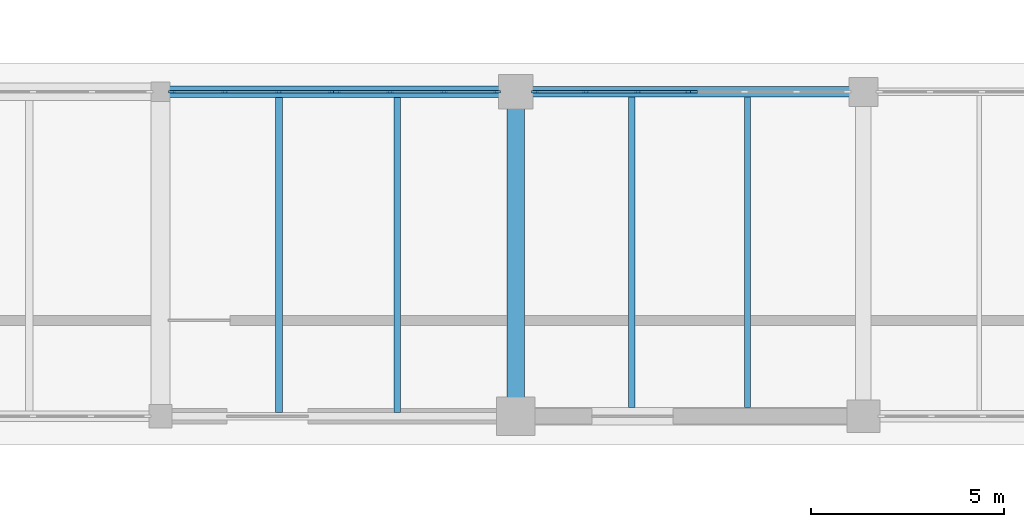
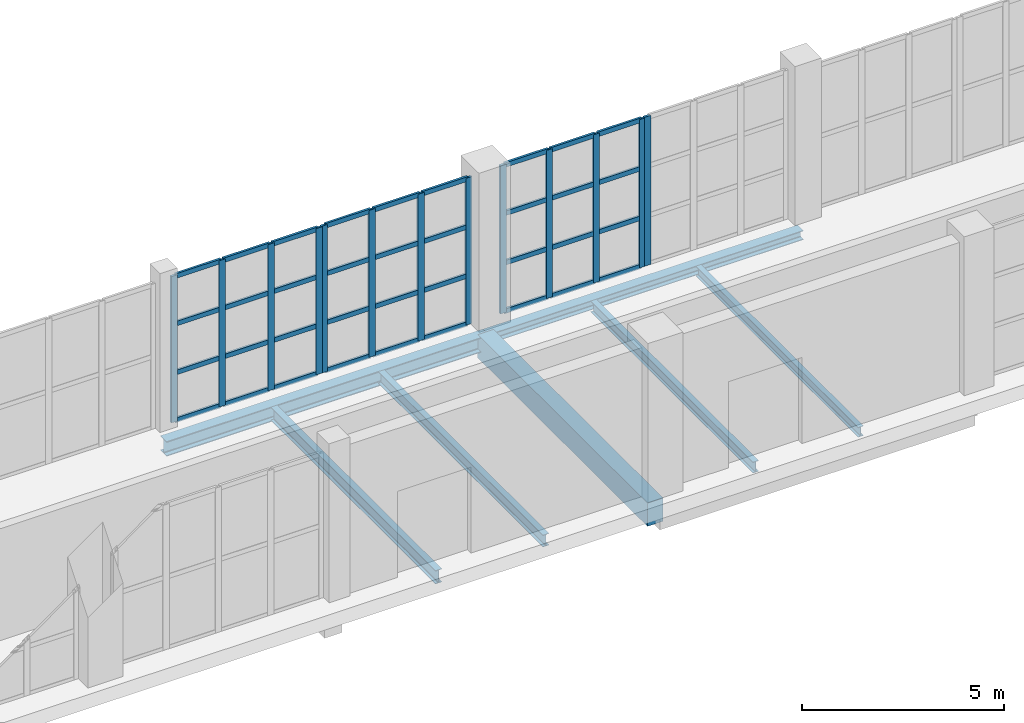
# One storey, part 56 of 121: 49 members, 7 beams, 4 elements without a shape of their own.
"""IFC4 building model written with IfcOpenShell, lengths in metres."""

from ifc_helpers import new_model, si_unit, direction, frame, origin, origin_2d, place, context, subcontext, project, spatial, rectangle, i_section, extrude, material, layer, layer_set, material_profile, profile_set, type_object, element, aggregate, save


model = new_model("IFC4")

# Units and contexts
model_context = context("Model", 3, precision=1e-05, world=origin(), true_north=direction((0.0, 1.0)))
body_context = subcontext(model_context, "Body", "Model", "MODEL_VIEW")
ifc_project = project(units=[si_unit("LENGTHUNIT", "METRE"), si_unit("AREAUNIT", "SQUARE_METRE"), si_unit("VOLUMEUNIT", "CUBIC_METRE"), si_unit("PLANEANGLEUNIT", "RADIAN"), si_unit("MASSUNIT", "GRAM", prefix="KILO")], contexts=[model_context])

# Site, building, storey
site_placement = place(None, origin())
site = spatial("IfcSite", under=ifc_project, at=site_placement, CompositionType="ELEMENT")
building_placement = place(site_placement, origin())
building = spatial("IfcBuilding", under=site, at=building_placement, Name="Zereglee Splitstone Museum", CompositionType="ELEMENT")
storey_placement = place(building_placement, origin())
storey = spatial("IfcBuildingStorey", under=building, at=storey_placement, Name="L00", CompositionType="ELEMENT", Elevation=0.0)

# Beam
ifc_material_1 = material(Name="Concrete C40/50", Category="concrete")
ifc_material_profile_1 = material_profile(ifc_material_1, rectangle(XDim=0.449951171875, YDim=0.699951171875, at=origin_2d()), Name="RC 450x700")
ifc_profile_set_1 = profile_set([ifc_material_profile_1], Name="Concrete C40/50")
beam_type_1 = type_object("IfcBeamType", Name="BG-03", PredefinedType="BEAM", material=ifc_profile_set_1)
beam_1_placement = place(storey_placement, frame((238.0, 30.0, -0.77001953125), z_axis=(0.0, 1.0, 0.0), x_axis=(-1.0, 0.0, 0.0)))
element("IfcBeam", 1, at=beam_1_placement, inside=storey, type_object=beam_type_1, Name="Primary Girder L00 27 (30.0-38.4)", PredefinedType="BEAM", context=body_context, shape_type="SweptSolid", body=[
    extrude(rectangle(XDim=0.449951171875, YDim=0.699951171875, at=origin_2d()), origin(), (0.0, 0.0, 1.0), 8.39990234375),
])

# Curtain wall, member
ifc_material_2 = material(Name="Triple-glazed low-E argon glass and bronze-anodised aluminium", Category="aluminium")
ifc_layer_1 = layer(ifc_material_2, 0.179931640625)
ifc_layer_set_1 = layer_set([ifc_layer_1], Name="Triple-glazed low-E argon glass and bronze-anodised aluminium")
curtain_wall_type_1 = type_object("IfcCurtainWallType", Name="CW-0404-450", PredefinedType="USERDEFINED", material=ifc_layer_set_1)
curtain_wall_1_placement = place(storey_placement, origin())
curtain_wall_1 = element("IfcCurtainWall", 2, at=curtain_wall_1_placement, inside=storey, type_object=curtain_wall_type_1, Name="Glazed Curtain Wall CW-0404-450 (L00)", ObjectType="GLAZED CURTAIN WALL", PredefinedType="USERDEFINED")
ifc_material_3 = material(Name="Thermally broken bronze-anodised aluminium", Category="aluminium")
ifc_material_profile_2 = material_profile(ifc_material_3, rectangle(XDim=0.06494140625, YDim=0.179931640625, at=origin_2d()), Name="CW MULL 65x180")
ifc_profile_set_2 = profile_set([ifc_material_profile_2], Name="Thermally broken bronze-anodised aluminium")
member_type_1 = type_object("IfcMemberType", Name="CWM-01", PredefinedType="MULLION", material=ifc_profile_set_2)
member_1_placement = place(storey_placement, frame((242.610107421875, 38.39990234375, 0.0), z_axis=(0.0, 0.0, 1.0), x_axis=(0.0, -1.0, 0.0)))
member_1 = element("IfcMember", 3, at=member_1_placement, type_object=member_type_1, Name="CW-0404-450 mullion 4", PredefinedType="MULLION", context=body_context, shape_type="SweptSolid", body=[
    extrude(rectangle(XDim=0.06494140625, YDim=0.179931640625, at=origin_2d()), origin(), (0.0, 0.0, 1.0), 4.5),
])
aggregate(curtain_wall_1, [member_1])

# Curtain wall, members
ifc_layer_2 = layer(ifc_material_2, 0.179931640625)
ifc_layer_set_2 = layer_set([ifc_layer_2], Name="Triple-glazed low-E argon glass and bronze-anodised aluminium")
curtain_wall_type_2 = type_object("IfcCurtainWallType", Name="CW-0404-448", PredefinedType="USERDEFINED", material=ifc_layer_set_2)
curtain_wall_2_placement = place(storey_placement, origin())
curtain_wall_2 = element("IfcCurtainWall", 4, at=curtain_wall_2_placement, inside=storey, type_object=curtain_wall_type_2, Name="Glazed Curtain Wall CW-0404-448 (L00)", ObjectType="GLAZED CURTAIN WALL", PredefinedType="USERDEFINED")
member_2_placement = place(storey_placement, frame((242.465087890625, 38.39990234375, 0.0), z_axis=(0.0, 0.0, 1.0), x_axis=(0.0, -1.0, 0.0)))
member_2 = element("IfcMember", 5, at=member_2_placement, type_object=member_type_1, Name="CW-0404-448 mullion 1", PredefinedType="MULLION", context=body_context, shape_type="SweptSolid", body=[
    extrude(rectangle(XDim=0.06494140625, YDim=0.179931640625, at=origin_2d()), origin(), (0.0, 0.0, 1.0), 4.47998046875),
])
member_3_placement = place(storey_placement, frame((241.15087890625, 38.39990234375, 0.0), z_axis=(0.0, 0.0, 1.0), x_axis=(0.0, -1.0, 0.0)))
member_3 = element("IfcMember", 6, at=member_3_placement, type_object=member_type_1, Name="CW-0404-448 mullion 2", PredefinedType="MULLION", context=body_context, shape_type="SweptSolid", body=[
    extrude(rectangle(XDim=0.06494140625, YDim=0.179931640625, at=origin_2d()), origin(), (0.0, 0.0, 1.0), 4.47998046875),
])
member_4_placement = place(storey_placement, frame((239.804443359375, 38.39990234375, 0.0), z_axis=(0.0, 0.0, 1.0), x_axis=(0.0, -1.0, 0.0)))
member_4 = element("IfcMember", 7, at=member_4_placement, type_object=member_type_1, Name="CW-0404-448 mullion 3", PredefinedType="MULLION", context=body_context, shape_type="SweptSolid", body=[
    extrude(rectangle(XDim=0.06494140625, YDim=0.179931640625, at=origin_2d()), origin(), (0.0, 0.0, 1.0), 4.47998046875),
])
member_5_placement = place(storey_placement, frame((238.490478515625, 38.39990234375, 0.0), z_axis=(0.0, 0.0, 1.0), x_axis=(0.0, -1.0, 0.0)))
member_5 = element("IfcMember", 8, at=member_5_placement, type_object=member_type_1, Name="CW-0404-448 mullion 4", PredefinedType="MULLION", context=body_context, shape_type="SweptSolid", body=[
    extrude(rectangle(XDim=0.06494140625, YDim=0.179931640625, at=origin_2d()), origin(), (0.0, 0.0, 1.0), 4.47998046875),
])

ifc_layer_3 = layer(ifc_material_2, 0.179931640625)
ifc_layer_set_3 = layer_set([ifc_layer_3], Name="Triple-glazed low-E argon glass and bronze-anodised aluminium")
curtain_wall_type_3 = type_object("IfcCurtainWallType", Name="CW-0420-444", PredefinedType="USERDEFINED", material=ifc_layer_set_3)
curtain_wall_3_placement = place(storey_placement, origin())
curtain_wall_3 = element("IfcCurtainWall", 9, at=curtain_wall_3_placement, inside=storey, type_object=curtain_wall_type_3, Name="Glazed Curtain Wall CW-0420-444 (L00)", ObjectType="GLAZED CURTAIN WALL", PredefinedType="USERDEFINED")
member_6_placement = place(storey_placement, frame((237.509521484375, 38.39990234375, 0.0), z_axis=(0.0, 0.0, 1.0), x_axis=(0.0, -1.0, 0.0)))
member_6 = element("IfcMember", 10, at=member_6_placement, type_object=member_type_1, Name="CW-0420-444 mullion 1", PredefinedType="MULLION", context=body_context, shape_type="SweptSolid", body=[
    extrude(rectangle(XDim=0.06494140625, YDim=0.179931640625, at=origin_2d()), origin(), (0.0, 0.0, 1.0), 4.43994140625),
])
member_7_placement = place(storey_placement, frame((236.141357421875, 38.39990234375, 0.0), z_axis=(0.0, 0.0, 1.0), x_axis=(0.0, -1.0, 0.0)))
member_7 = element("IfcMember", 11, at=member_7_placement, type_object=member_type_1, Name="CW-0420-444 mullion 2", PredefinedType="MULLION", context=body_context, shape_type="SweptSolid", body=[
    extrude(rectangle(XDim=0.06494140625, YDim=0.179931640625, at=origin_2d()), origin(), (0.0, 0.0, 1.0), 4.43994140625),
])
member_8_placement = place(storey_placement, frame((234.74072265625, 38.39990234375, 0.0), z_axis=(0.0, 0.0, 1.0), x_axis=(0.0, -1.0, 0.0)))
member_8 = element("IfcMember", 12, at=member_8_placement, type_object=member_type_1, Name="CW-0420-444 mullion 3", PredefinedType="MULLION", context=body_context, shape_type="SweptSolid", body=[
    extrude(rectangle(XDim=0.06494140625, YDim=0.179931640625, at=origin_2d()), origin(), (0.0, 0.0, 1.0), 4.43994140625),
])
member_9_placement = place(storey_placement, frame((233.37255859375, 38.39990234375, 0.0), z_axis=(0.0, 0.0, 1.0), x_axis=(0.0, -1.0, 0.0)))
member_9 = element("IfcMember", 13, at=member_9_placement, type_object=member_type_1, Name="CW-0420-444 mullion 4", PredefinedType="MULLION", context=body_context, shape_type="SweptSolid", body=[
    extrude(rectangle(XDim=0.06494140625, YDim=0.179931640625, at=origin_2d()), origin(), (0.0, 0.0, 1.0), 4.43994140625),
])

ifc_layer_4 = layer(ifc_material_2, 0.179931640625)
ifc_layer_set_4 = layer_set([ifc_layer_4], Name="Triple-glazed low-E argon glass and bronze-anodised aluminium")
curtain_wall_type_4 = type_object("IfcCurtainWallType", Name="CW-0420-442", PredefinedType="USERDEFINED", material=ifc_layer_set_4)
curtain_wall_4_placement = place(storey_placement, origin())
curtain_wall_4 = element("IfcCurtainWall", 14, at=curtain_wall_4_placement, inside=storey, type_object=curtain_wall_type_4, Name="Glazed Curtain Wall CW-0420-442 (L00)", ObjectType="GLAZED CURTAIN WALL", PredefinedType="USERDEFINED")
member_10_placement = place(storey_placement, frame((233.2275390625, 38.39990234375, 0.0), z_axis=(0.0, 0.0, 1.0), x_axis=(0.0, -1.0, 0.0)))
member_10 = element("IfcMember", 15, at=member_10_placement, type_object=member_type_1, Name="CW-0420-442 mullion 1", PredefinedType="MULLION", context=body_context, shape_type="SweptSolid", body=[
    extrude(rectangle(XDim=0.06494140625, YDim=0.179931640625, at=origin_2d()), origin(), (0.0, 0.0, 1.0), 4.419921875),
])
member_11_placement = place(storey_placement, frame((231.859375, 38.39990234375, 0.0), z_axis=(0.0, 0.0, 1.0), x_axis=(0.0, -1.0, 0.0)))
member_11 = element("IfcMember", 16, at=member_11_placement, type_object=member_type_1, Name="CW-0420-442 mullion 2", PredefinedType="MULLION", context=body_context, shape_type="SweptSolid", body=[
    extrude(rectangle(XDim=0.06494140625, YDim=0.179931640625, at=origin_2d()), origin(), (0.0, 0.0, 1.0), 4.419921875),
])
member_12_placement = place(storey_placement, frame((230.458740234375, 38.39990234375, 0.0), z_axis=(0.0, 0.0, 1.0), x_axis=(0.0, -1.0, 0.0)))
member_12 = element("IfcMember", 17, at=member_12_placement, type_object=member_type_1, Name="CW-0420-442 mullion 3", PredefinedType="MULLION", context=body_context, shape_type="SweptSolid", body=[
    extrude(rectangle(XDim=0.06494140625, YDim=0.179931640625, at=origin_2d()), origin(), (0.0, 0.0, 1.0), 4.419921875),
])
member_13_placement = place(storey_placement, frame((229.090576171875, 38.39990234375, 0.0), z_axis=(0.0, 0.0, 1.0), x_axis=(0.0, -1.0, 0.0)))
member_13 = element("IfcMember", 18, at=member_13_placement, type_object=member_type_1, Name="CW-0420-442 mullion 4", PredefinedType="MULLION", context=body_context, shape_type="SweptSolid", body=[
    extrude(rectangle(XDim=0.06494140625, YDim=0.179931640625, at=origin_2d()), origin(), (0.0, 0.0, 1.0), 4.419921875),
])

# Member
ifc_material_profile_3 = material_profile(ifc_material_3, rectangle(XDim=0.06494140625, YDim=0.139892578125, at=origin_2d()), Name="CW TRAN 65x140")
ifc_profile_set_3 = profile_set([ifc_material_profile_3], Name="Thermally broken bronze-anodised aluminium")
member_type_2 = type_object("IfcMemberType", Name="CWT-01", PredefinedType="USERDEFINED", material=ifc_profile_set_3)
member_14_placement = place(storey_placement, frame((242.4326171875, 38.39990234375, 0.032470703125), z_axis=(-1.0, 0.0, 0.0), x_axis=(0.0, -1.0, 0.0)))
member_14 = element("IfcMember", 19, at=member_14_placement, type_object=member_type_2, Name="CW-0404-448 transom 1.1", ObjectType="TRANSOM", PredefinedType="USERDEFINED", context=body_context, shape_type="SweptSolid", body=[
    extrude(rectangle(XDim=0.06494140625, YDim=0.139892578125, at=origin_2d()), origin(), (0.0, 0.0, 1.0), 1.2490234375),
])

member_15_placement = place(storey_placement, frame((242.4326171875, 38.39990234375, 1.493408203125), z_axis=(-1.0, 0.0, 0.0), x_axis=(0.0, -1.0, 0.0)))
member_15 = element("IfcMember", 20, at=member_15_placement, type_object=member_type_2, Name="CW-0404-448 transom 1.2", ObjectType="TRANSOM", PredefinedType="USERDEFINED", context=body_context, shape_type="SweptSolid", body=[
    extrude(rectangle(XDim=0.06494140625, YDim=0.139892578125, at=origin_2d()), origin(), (0.0, 0.0, 1.0), 1.2490234375),
])

member_16_placement = place(storey_placement, frame((242.4326171875, 38.39990234375, 2.98681640625), z_axis=(-1.0, 0.0, 0.0), x_axis=(0.0, -1.0, 0.0)))
member_16 = element("IfcMember", 21, at=member_16_placement, type_object=member_type_2, Name="CW-0404-448 transom 1.3", ObjectType="TRANSOM", PredefinedType="USERDEFINED", context=body_context, shape_type="SweptSolid", body=[
    extrude(rectangle(XDim=0.06494140625, YDim=0.139892578125, at=origin_2d()), origin(), (0.0, 0.0, 1.0), 1.2490234375),
])

member_17_placement = place(storey_placement, frame((242.4326171875, 38.39990234375, 4.447509765625), z_axis=(-1.0, 0.0, 0.0), x_axis=(0.0, -1.0, 0.0)))
member_17 = element("IfcMember", 22, at=member_17_placement, type_object=member_type_2, Name="CW-0404-448 transom 1.4", ObjectType="TRANSOM", PredefinedType="USERDEFINED", context=body_context, shape_type="SweptSolid", body=[
    extrude(rectangle(XDim=0.06494140625, YDim=0.139892578125, at=origin_2d()), origin(), (0.0, 0.0, 1.0), 1.2490234375),
])

member_18_placement = place(storey_placement, frame((241.118408203125, 38.39990234375, 0.032470703125), z_axis=(-1.0, 0.0, 0.0), x_axis=(0.0, -1.0, 0.0)))
member_18 = element("IfcMember", 23, at=member_18_placement, type_object=member_type_2, Name="CW-0404-448 transom 2.1", ObjectType="TRANSOM", PredefinedType="USERDEFINED", context=body_context, shape_type="SweptSolid", body=[
    extrude(rectangle(XDim=0.06494140625, YDim=0.139892578125, at=origin_2d()), origin(), (0.0, 0.0, 1.0), 1.281494140625),
])

member_19_placement = place(storey_placement, frame((241.118408203125, 38.39990234375, 1.493408203125), z_axis=(-1.0, 0.0, 0.0), x_axis=(0.0, -1.0, 0.0)))
member_19 = element("IfcMember", 24, at=member_19_placement, type_object=member_type_2, Name="CW-0404-448 transom 2.2", ObjectType="TRANSOM", PredefinedType="USERDEFINED", context=body_context, shape_type="SweptSolid", body=[
    extrude(rectangle(XDim=0.06494140625, YDim=0.139892578125, at=origin_2d()), origin(), (0.0, 0.0, 1.0), 1.281494140625),
])

member_20_placement = place(storey_placement, frame((241.118408203125, 38.39990234375, 2.98681640625), z_axis=(-1.0, 0.0, 0.0), x_axis=(0.0, -1.0, 0.0)))
member_20 = element("IfcMember", 25, at=member_20_placement, type_object=member_type_2, Name="CW-0404-448 transom 2.3", ObjectType="TRANSOM", PredefinedType="USERDEFINED", context=body_context, shape_type="SweptSolid", body=[
    extrude(rectangle(XDim=0.06494140625, YDim=0.139892578125, at=origin_2d()), origin(), (0.0, 0.0, 1.0), 1.281494140625),
])

member_21_placement = place(storey_placement, frame((241.118408203125, 38.39990234375, 4.447509765625), z_axis=(-1.0, 0.0, 0.0), x_axis=(0.0, -1.0, 0.0)))
member_21 = element("IfcMember", 26, at=member_21_placement, type_object=member_type_2, Name="CW-0404-448 transom 2.4", ObjectType="TRANSOM", PredefinedType="USERDEFINED", context=body_context, shape_type="SweptSolid", body=[
    extrude(rectangle(XDim=0.06494140625, YDim=0.139892578125, at=origin_2d()), origin(), (0.0, 0.0, 1.0), 1.281494140625),
])

member_22_placement = place(storey_placement, frame((239.77197265625, 38.39990234375, 0.032470703125), z_axis=(-1.0, 0.0, 0.0), x_axis=(0.0, -1.0, 0.0)))
member_22 = element("IfcMember", 27, at=member_22_placement, type_object=member_type_2, Name="CW-0404-448 transom 3.1", ObjectType="TRANSOM", PredefinedType="USERDEFINED", context=body_context, shape_type="SweptSolid", body=[
    extrude(rectangle(XDim=0.06494140625, YDim=0.139892578125, at=origin_2d()), origin(), (0.0, 0.0, 1.0), 1.2490234375),
])

member_23_placement = place(storey_placement, frame((239.77197265625, 38.39990234375, 1.493408203125), z_axis=(-1.0, 0.0, 0.0), x_axis=(0.0, -1.0, 0.0)))
member_23 = element("IfcMember", 28, at=member_23_placement, type_object=member_type_2, Name="CW-0404-448 transom 3.2", ObjectType="TRANSOM", PredefinedType="USERDEFINED", context=body_context, shape_type="SweptSolid", body=[
    extrude(rectangle(XDim=0.06494140625, YDim=0.139892578125, at=origin_2d()), origin(), (0.0, 0.0, 1.0), 1.2490234375),
])

member_24_placement = place(storey_placement, frame((239.77197265625, 38.39990234375, 2.98681640625), z_axis=(-1.0, 0.0, 0.0), x_axis=(0.0, -1.0, 0.0)))
member_24 = element("IfcMember", 29, at=member_24_placement, type_object=member_type_2, Name="CW-0404-448 transom 3.3", ObjectType="TRANSOM", PredefinedType="USERDEFINED", context=body_context, shape_type="SweptSolid", body=[
    extrude(rectangle(XDim=0.06494140625, YDim=0.139892578125, at=origin_2d()), origin(), (0.0, 0.0, 1.0), 1.2490234375),
])

member_25_placement = place(storey_placement, frame((239.77197265625, 38.39990234375, 4.447509765625), z_axis=(-1.0, 0.0, 0.0), x_axis=(0.0, -1.0, 0.0)))
member_25 = element("IfcMember", 30, at=member_25_placement, type_object=member_type_2, Name="CW-0404-448 transom 3.4", ObjectType="TRANSOM", PredefinedType="USERDEFINED", context=body_context, shape_type="SweptSolid", body=[
    extrude(rectangle(XDim=0.06494140625, YDim=0.139892578125, at=origin_2d()), origin(), (0.0, 0.0, 1.0), 1.2490234375),
])

aggregate(curtain_wall_2, [member_2, member_3, member_4, member_5, member_14, member_15, member_16, member_17, member_18, member_19, member_20, member_21, member_22, member_23, member_24, member_25])

member_26_placement = place(storey_placement, frame((237.47705078125, 38.39990234375, 0.032470703125), z_axis=(-1.0, 0.0, 0.0), x_axis=(0.0, -1.0, 0.0)))
member_26 = element("IfcMember", 31, at=member_26_placement, type_object=member_type_2, Name="CW-0420-444 transom 1.1", ObjectType="TRANSOM", PredefinedType="USERDEFINED", context=body_context, shape_type="SweptSolid", body=[
    extrude(rectangle(XDim=0.06494140625, YDim=0.139892578125, at=origin_2d()), origin(), (0.0, 0.0, 1.0), 1.30322265625),
])

member_27_placement = place(storey_placement, frame((237.47705078125, 38.39990234375, 1.47998046875), z_axis=(-1.0, 0.0, 0.0), x_axis=(0.0, -1.0, 0.0)))
member_27 = element("IfcMember", 32, at=member_27_placement, type_object=member_type_2, Name="CW-0420-444 transom 1.2", ObjectType="TRANSOM", PredefinedType="USERDEFINED", context=body_context, shape_type="SweptSolid", body=[
    extrude(rectangle(XDim=0.06494140625, YDim=0.139892578125, at=origin_2d()), origin(), (0.0, 0.0, 1.0), 1.30322265625),
])

member_28_placement = place(storey_placement, frame((237.47705078125, 38.39990234375, 2.9599609375), z_axis=(-1.0, 0.0, 0.0), x_axis=(0.0, -1.0, 0.0)))
member_28 = element("IfcMember", 33, at=member_28_placement, type_object=member_type_2, Name="CW-0420-444 transom 1.3", ObjectType="TRANSOM", PredefinedType="USERDEFINED", context=body_context, shape_type="SweptSolid", body=[
    extrude(rectangle(XDim=0.06494140625, YDim=0.139892578125, at=origin_2d()), origin(), (0.0, 0.0, 1.0), 1.30322265625),
])

member_29_placement = place(storey_placement, frame((237.47705078125, 38.39990234375, 4.407470703125), z_axis=(-1.0, 0.0, 0.0), x_axis=(0.0, -1.0, 0.0)))
member_29 = element("IfcMember", 34, at=member_29_placement, type_object=member_type_2, Name="CW-0420-444 transom 1.4", ObjectType="TRANSOM", PredefinedType="USERDEFINED", context=body_context, shape_type="SweptSolid", body=[
    extrude(rectangle(XDim=0.06494140625, YDim=0.139892578125, at=origin_2d()), origin(), (0.0, 0.0, 1.0), 1.30322265625),
])

member_30_placement = place(storey_placement, frame((236.10888671875, 38.39990234375, 0.032470703125), z_axis=(-1.0, 0.0, 0.0), x_axis=(0.0, -1.0, 0.0)))
member_30 = element("IfcMember", 35, at=member_30_placement, type_object=member_type_2, Name="CW-0420-444 transom 2.1", ObjectType="TRANSOM", PredefinedType="USERDEFINED", context=body_context, shape_type="SweptSolid", body=[
    extrude(rectangle(XDim=0.06494140625, YDim=0.139892578125, at=origin_2d()), origin(), (0.0, 0.0, 1.0), 1.335693359375),
])

member_31_placement = place(storey_placement, frame((236.10888671875, 38.39990234375, 1.47998046875), z_axis=(-1.0, 0.0, 0.0), x_axis=(0.0, -1.0, 0.0)))
member_31 = element("IfcMember", 36, at=member_31_placement, type_object=member_type_2, Name="CW-0420-444 transom 2.2", ObjectType="TRANSOM", PredefinedType="USERDEFINED", context=body_context, shape_type="SweptSolid", body=[
    extrude(rectangle(XDim=0.06494140625, YDim=0.139892578125, at=origin_2d()), origin(), (0.0, 0.0, 1.0), 1.335693359375),
])

member_32_placement = place(storey_placement, frame((236.10888671875, 38.39990234375, 2.9599609375), z_axis=(-1.0, 0.0, 0.0), x_axis=(0.0, -1.0, 0.0)))
member_32 = element("IfcMember", 37, at=member_32_placement, type_object=member_type_2, Name="CW-0420-444 transom 2.3", ObjectType="TRANSOM", PredefinedType="USERDEFINED", context=body_context, shape_type="SweptSolid", body=[
    extrude(rectangle(XDim=0.06494140625, YDim=0.139892578125, at=origin_2d()), origin(), (0.0, 0.0, 1.0), 1.335693359375),
])

member_33_placement = place(storey_placement, frame((236.10888671875, 38.39990234375, 4.407470703125), z_axis=(-1.0, 0.0, 0.0), x_axis=(0.0, -1.0, 0.0)))
member_33 = element("IfcMember", 38, at=member_33_placement, type_object=member_type_2, Name="CW-0420-444 transom 2.4", ObjectType="TRANSOM", PredefinedType="USERDEFINED", context=body_context, shape_type="SweptSolid", body=[
    extrude(rectangle(XDim=0.06494140625, YDim=0.139892578125, at=origin_2d()), origin(), (0.0, 0.0, 1.0), 1.335693359375),
])

member_34_placement = place(storey_placement, frame((234.708251953125, 38.39990234375, 0.032470703125), z_axis=(-1.0, 0.0, 0.0), x_axis=(0.0, -1.0, 0.0)))
member_34 = element("IfcMember", 39, at=member_34_placement, type_object=member_type_2, Name="CW-0420-444 transom 3.1", ObjectType="TRANSOM", PredefinedType="USERDEFINED", context=body_context, shape_type="SweptSolid", body=[
    extrude(rectangle(XDim=0.06494140625, YDim=0.139892578125, at=origin_2d()), origin(), (0.0, 0.0, 1.0), 1.30322265625),
])

member_35_placement = place(storey_placement, frame((234.708251953125, 38.39990234375, 1.47998046875), z_axis=(-1.0, 0.0, 0.0), x_axis=(0.0, -1.0, 0.0)))
member_35 = element("IfcMember", 40, at=member_35_placement, type_object=member_type_2, Name="CW-0420-444 transom 3.2", ObjectType="TRANSOM", PredefinedType="USERDEFINED", context=body_context, shape_type="SweptSolid", body=[
    extrude(rectangle(XDim=0.06494140625, YDim=0.139892578125, at=origin_2d()), origin(), (0.0, 0.0, 1.0), 1.30322265625),
])

member_36_placement = place(storey_placement, frame((234.708251953125, 38.39990234375, 2.9599609375), z_axis=(-1.0, 0.0, 0.0), x_axis=(0.0, -1.0, 0.0)))
member_36 = element("IfcMember", 41, at=member_36_placement, type_object=member_type_2, Name="CW-0420-444 transom 3.3", ObjectType="TRANSOM", PredefinedType="USERDEFINED", context=body_context, shape_type="SweptSolid", body=[
    extrude(rectangle(XDim=0.06494140625, YDim=0.139892578125, at=origin_2d()), origin(), (0.0, 0.0, 1.0), 1.30322265625),
])

member_37_placement = place(storey_placement, frame((234.708251953125, 38.39990234375, 4.407470703125), z_axis=(-1.0, 0.0, 0.0), x_axis=(0.0, -1.0, 0.0)))
member_37 = element("IfcMember", 42, at=member_37_placement, type_object=member_type_2, Name="CW-0420-444 transom 3.4", ObjectType="TRANSOM", PredefinedType="USERDEFINED", context=body_context, shape_type="SweptSolid", body=[
    extrude(rectangle(XDim=0.06494140625, YDim=0.139892578125, at=origin_2d()), origin(), (0.0, 0.0, 1.0), 1.30322265625),
])

aggregate(curtain_wall_3, [member_6, member_7, member_8, member_9, member_26, member_27, member_28, member_29, member_30, member_31, member_32, member_33, member_34, member_35, member_36, member_37])

member_38_placement = place(storey_placement, frame((233.195068359375, 38.39990234375, 0.032470703125), z_axis=(-1.0, 0.0, 0.0), x_axis=(0.0, -1.0, 0.0)))
member_38 = element("IfcMember", 43, at=member_38_placement, type_object=member_type_2, Name="CW-0420-442 transom 1.1", ObjectType="TRANSOM", PredefinedType="USERDEFINED", context=body_context, shape_type="SweptSolid", body=[
    extrude(rectangle(XDim=0.06494140625, YDim=0.139892578125, at=origin_2d()), origin(), (0.0, 0.0, 1.0), 1.30322265625),
])

member_39_placement = place(storey_placement, frame((233.195068359375, 38.39990234375, 1.473388671875), z_axis=(-1.0, 0.0, 0.0), x_axis=(0.0, -1.0, 0.0)))
member_39 = element("IfcMember", 44, at=member_39_placement, type_object=member_type_2, Name="CW-0420-442 transom 1.2", ObjectType="TRANSOM", PredefinedType="USERDEFINED", context=body_context, shape_type="SweptSolid", body=[
    extrude(rectangle(XDim=0.06494140625, YDim=0.139892578125, at=origin_2d()), origin(), (0.0, 0.0, 1.0), 1.30322265625),
])

member_40_placement = place(storey_placement, frame((233.195068359375, 38.39990234375, 2.94677734375), z_axis=(-1.0, 0.0, 0.0), x_axis=(0.0, -1.0, 0.0)))
member_40 = element("IfcMember", 45, at=member_40_placement, type_object=member_type_2, Name="CW-0420-442 transom 1.3", ObjectType="TRANSOM", PredefinedType="USERDEFINED", context=body_context, shape_type="SweptSolid", body=[
    extrude(rectangle(XDim=0.06494140625, YDim=0.139892578125, at=origin_2d()), origin(), (0.0, 0.0, 1.0), 1.30322265625),
])

member_41_placement = place(storey_placement, frame((233.195068359375, 38.39990234375, 4.387451171875), z_axis=(-1.0, 0.0, 0.0), x_axis=(0.0, -1.0, 0.0)))
member_41 = element("IfcMember", 46, at=member_41_placement, type_object=member_type_2, Name="CW-0420-442 transom 1.4", ObjectType="TRANSOM", PredefinedType="USERDEFINED", context=body_context, shape_type="SweptSolid", body=[
    extrude(rectangle(XDim=0.06494140625, YDim=0.139892578125, at=origin_2d()), origin(), (0.0, 0.0, 1.0), 1.30322265625),
])

member_42_placement = place(storey_placement, frame((231.826904296875, 38.39990234375, 0.032470703125), z_axis=(-1.0, 0.0, 0.0), x_axis=(0.0, -1.0, 0.0)))
member_42 = element("IfcMember", 47, at=member_42_placement, type_object=member_type_2, Name="CW-0420-442 transom 2.1", ObjectType="TRANSOM", PredefinedType="USERDEFINED", context=body_context, shape_type="SweptSolid", body=[
    extrude(rectangle(XDim=0.06494140625, YDim=0.139892578125, at=origin_2d()), origin(), (0.0, 0.0, 1.0), 1.335693359375),
])

member_43_placement = place(storey_placement, frame((231.826904296875, 38.39990234375, 1.473388671875), z_axis=(-1.0, 0.0, 0.0), x_axis=(0.0, -1.0, 0.0)))
member_43 = element("IfcMember", 48, at=member_43_placement, type_object=member_type_2, Name="CW-0420-442 transom 2.2", ObjectType="TRANSOM", PredefinedType="USERDEFINED", context=body_context, shape_type="SweptSolid", body=[
    extrude(rectangle(XDim=0.06494140625, YDim=0.139892578125, at=origin_2d()), origin(), (0.0, 0.0, 1.0), 1.335693359375),
])

member_44_placement = place(storey_placement, frame((231.826904296875, 38.39990234375, 2.94677734375), z_axis=(-1.0, 0.0, 0.0), x_axis=(0.0, -1.0, 0.0)))
member_44 = element("IfcMember", 49, at=member_44_placement, type_object=member_type_2, Name="CW-0420-442 transom 2.3", ObjectType="TRANSOM", PredefinedType="USERDEFINED", context=body_context, shape_type="SweptSolid", body=[
    extrude(rectangle(XDim=0.06494140625, YDim=0.139892578125, at=origin_2d()), origin(), (0.0, 0.0, 1.0), 1.335693359375),
])

member_45_placement = place(storey_placement, frame((231.826904296875, 38.39990234375, 4.387451171875), z_axis=(-1.0, 0.0, 0.0), x_axis=(0.0, -1.0, 0.0)))
member_45 = element("IfcMember", 50, at=member_45_placement, type_object=member_type_2, Name="CW-0420-442 transom 2.4", ObjectType="TRANSOM", PredefinedType="USERDEFINED", context=body_context, shape_type="SweptSolid", body=[
    extrude(rectangle(XDim=0.06494140625, YDim=0.139892578125, at=origin_2d()), origin(), (0.0, 0.0, 1.0), 1.335693359375),
])

member_46_placement = place(storey_placement, frame((230.42626953125, 38.39990234375, 0.032470703125), z_axis=(-1.0, 0.0, 0.0), x_axis=(0.0, -1.0, 0.0)))
member_46 = element("IfcMember", 51, at=member_46_placement, type_object=member_type_2, Name="CW-0420-442 transom 3.1", ObjectType="TRANSOM", PredefinedType="USERDEFINED", context=body_context, shape_type="SweptSolid", body=[
    extrude(rectangle(XDim=0.06494140625, YDim=0.139892578125, at=origin_2d()), origin(), (0.0, 0.0, 1.0), 1.30322265625),
])

member_47_placement = place(storey_placement, frame((230.42626953125, 38.39990234375, 1.473388671875), z_axis=(-1.0, 0.0, 0.0), x_axis=(0.0, -1.0, 0.0)))
member_47 = element("IfcMember", 52, at=member_47_placement, type_object=member_type_2, Name="CW-0420-442 transom 3.2", ObjectType="TRANSOM", PredefinedType="USERDEFINED", context=body_context, shape_type="SweptSolid", body=[
    extrude(rectangle(XDim=0.06494140625, YDim=0.139892578125, at=origin_2d()), origin(), (0.0, 0.0, 1.0), 1.30322265625),
])

member_48_placement = place(storey_placement, frame((230.42626953125, 38.39990234375, 2.94677734375), z_axis=(-1.0, 0.0, 0.0), x_axis=(0.0, -1.0, 0.0)))
member_48 = element("IfcMember", 53, at=member_48_placement, type_object=member_type_2, Name="CW-0420-442 transom 3.3", ObjectType="TRANSOM", PredefinedType="USERDEFINED", context=body_context, shape_type="SweptSolid", body=[
    extrude(rectangle(XDim=0.06494140625, YDim=0.139892578125, at=origin_2d()), origin(), (0.0, 0.0, 1.0), 1.30322265625),
])

member_49_placement = place(storey_placement, frame((230.42626953125, 38.39990234375, 4.387451171875), z_axis=(-1.0, 0.0, 0.0), x_axis=(0.0, -1.0, 0.0)))
member_49 = element("IfcMember", 54, at=member_49_placement, type_object=member_type_2, Name="CW-0420-442 transom 3.4", ObjectType="TRANSOM", PredefinedType="USERDEFINED", context=body_context, shape_type="SweptSolid", body=[
    extrude(rectangle(XDim=0.06494140625, YDim=0.139892578125, at=origin_2d()), origin(), (0.0, 0.0, 1.0), 1.30322265625),
])

aggregate(curtain_wall_4, [member_10, member_11, member_12, member_13, member_38, member_39, member_40, member_41, member_42, member_43, member_44, member_45, member_46, member_47, member_48, member_49])

# Beams
ifc_material_4 = material(Name="Steel S355J2", Category="steel")
ifc_material_profile_4 = material_profile(ifc_material_4, i_section(OverallWidth=0.14990234375, OverallDepth=0.300048828125, WebThickness=0.007080078125, FlangeThickness=0.0107421875, FilletRadius=0.014892578125, at=origin_2d()), Name="IPE 300")
ifc_profile_set_4 = profile_set([ifc_material_profile_4], Name="Steel S355J2")
beam_type_2 = type_object("IfcBeamType", Name="BJ-06", PredefinedType="JOIST", material=ifc_profile_set_4)
beam_2_placement = place(storey_placement, frame((244.0, 30.22509765625, -0.570068359375), z_axis=(0.0, 1.0, 0.0), x_axis=(-1.0, 0.0, 0.0)))
element("IfcBeam", 55, at=beam_2_placement, inside=storey, type_object=beam_type_2, Name="Secondary Floor Joist L00-0376", PredefinedType="JOIST", context=body_context, shape_type="SweptSolid", body=[
    extrude(i_section(OverallWidth=0.14990234375, OverallDepth=0.300048828125, WebThickness=0.007080078125, FlangeThickness=0.0107421875, FilletRadius=0.014892578125, at=origin_2d()), origin(), (0.0, 0.0, 1.0), 8.034912109375),
])
ifc_material_profile_5 = material_profile(ifc_material_4, i_section(OverallWidth=0.159912109375, OverallDepth=0.330078125, WebThickness=0.007568359375, FlangeThickness=0.011474609375, FilletRadius=0.01806640625, at=origin_2d()), Name="IPE 330")
ifc_profile_set_5 = profile_set([ifc_material_profile_5], Name="Steel S355J2")
beam_type_3 = type_object("IfcBeamType", Name="BJ-05", PredefinedType="JOIST", material=ifc_profile_set_5)
beam_3_placement = place(storey_placement, frame((241.0, 30.22509765625, -0.5849609375), z_axis=(0.0, 1.0, 0.0), x_axis=(-1.0, 0.0, 0.0)))
element("IfcBeam", 56, at=beam_3_placement, inside=storey, type_object=beam_type_3, Name="Secondary Floor Joist L00-0375", PredefinedType="JOIST", context=body_context, shape_type="SweptSolid", body=[
    extrude(i_section(OverallWidth=0.159912109375, OverallDepth=0.330078125, WebThickness=0.007568359375, FlangeThickness=0.011474609375, FilletRadius=0.01806640625, at=origin_2d()), origin(), (0.0, 0.0, 1.0), 8.034912109375),
])
ifc_material_profile_6 = material_profile(ifc_material_4, i_section(OverallWidth=0.169921875, OverallDepth=0.360107421875, WebThickness=0.008056640625, FlangeThickness=0.0126953125, FilletRadius=0.01806640625, at=origin_2d()), Name="IPE 360")
ifc_profile_set_6 = profile_set([ifc_material_profile_6], Name="Steel S355J2")
beam_type_4 = type_object("IfcBeamType", Name="BJ-04", PredefinedType="JOIST", material=ifc_profile_set_6)
beam_4_placement = place(storey_placement, frame((234.933349609375, 30.10009765625, -0.60009765625), z_axis=(0.0, 1.0, 0.0), x_axis=(-1.0, 0.0, 0.0)))
element("IfcBeam", 57, at=beam_4_placement, inside=storey, type_object=beam_type_4, Name="Secondary Floor Joist L00-0374", PredefinedType="JOIST", context=body_context, shape_type="SweptSolid", body=[
    extrude(i_section(OverallWidth=0.169921875, OverallDepth=0.360107421875, WebThickness=0.008056640625, FlangeThickness=0.0126953125, FilletRadius=0.01806640625, at=origin_2d()), origin(), (0.0, 0.0, 1.0), 8.14990234375),
])
ifc_material_profile_7 = material_profile(ifc_material_4, i_section(OverallWidth=0.179931640625, OverallDepth=0.39990234375, WebThickness=0.008544921875, FlangeThickness=0.013427734375, FilletRadius=0.02099609375, at=origin_2d()), Name="IPE 400")
ifc_profile_set_7 = profile_set([ifc_material_profile_7], Name="Steel S355J2")
beam_type_5 = type_object("IfcBeamType", Name="BJ-03", PredefinedType="JOIST", material=ifc_profile_set_7)
beam_5_placement = place(storey_placement, frame((231.86669921875, 30.10009765625, -0.6201171875), z_axis=(0.0, 1.0, 0.0), x_axis=(-1.0, 0.0, 0.0)))
element("IfcBeam", 58, at=beam_5_placement, inside=storey, type_object=beam_type_5, Name="Secondary Floor Joist L00-0373", PredefinedType="JOIST", context=body_context, shape_type="SweptSolid", body=[
    extrude(i_section(OverallWidth=0.179931640625, OverallDepth=0.39990234375, WebThickness=0.008544921875, FlangeThickness=0.013427734375, FilletRadius=0.02099609375, at=origin_2d()), origin(), (0.0, 0.0, 1.0), 8.14990234375),
])
ifc_material_profile_8 = material_profile(ifc_material_4, i_section(OverallWidth=0.280029296875, OverallDepth=0.280029296875, WebThickness=0.010498046875, FlangeThickness=0.01806640625, FilletRadius=0.02392578125, at=origin_2d()), Name="HE 280 B")
ifc_profile_set_8 = profile_set([ifc_material_profile_8], Name="Steel S355J2")
beam_type_6 = type_object("IfcBeamType", Name="SP-03", PredefinedType="SPANDREL", material=ifc_profile_set_8)
beam_6_placement = place(storey_placement, frame((238.0, 38.39990234375, -0.56005859375), z_axis=(1.0, 0.0, 0.0), x_axis=(0.0, 1.0, 0.0)))
element("IfcBeam", 59, at=beam_6_placement, inside=storey, type_object=beam_type_6, Name="Primary Girder L00 E (238.0-247.0)", PredefinedType="SPANDREL", context=body_context, shape_type="SweptSolid", body=[
    extrude(i_section(OverallWidth=0.280029296875, OverallDepth=0.280029296875, WebThickness=0.010498046875, FlangeThickness=0.01806640625, FilletRadius=0.02392578125, at=origin_2d()), origin(), (0.0, 0.0, 1.0), 9.0),
])
ifc_material_profile_9 = material_profile(ifc_material_4, i_section(OverallWidth=0.300048828125, OverallDepth=0.449951171875, WebThickness=0.013916015625, FlangeThickness=0.02587890625, FilletRadius=0.027099609375, at=origin_2d()), Name="HE 450 B")
ifc_profile_set_9 = profile_set([ifc_material_profile_9], Name="Steel S355J2")
beam_type_7 = type_object("IfcBeamType", Name="SP-02", PredefinedType="SPANDREL", material=ifc_profile_set_9)
beam_7_placement = place(storey_placement, frame((228.800048828125, 38.39990234375, -0.64501953125), z_axis=(1.0, 0.0, 0.0), x_axis=(0.0, 1.0, 0.0)))
element("IfcBeam", 60, at=beam_7_placement, inside=storey, type_object=beam_type_7, Name="Primary Girder L00 E (228.8-238.0)", PredefinedType="SPANDREL", context=body_context, shape_type="SweptSolid", body=[
    extrude(i_section(OverallWidth=0.300048828125, OverallDepth=0.449951171875, WebThickness=0.013916015625, FlangeThickness=0.02587890625, FilletRadius=0.027099609375, at=origin_2d()), origin(), (0.0, 0.0, 1.0), 9.199951171875),
])

save(model, "model.ifc")
